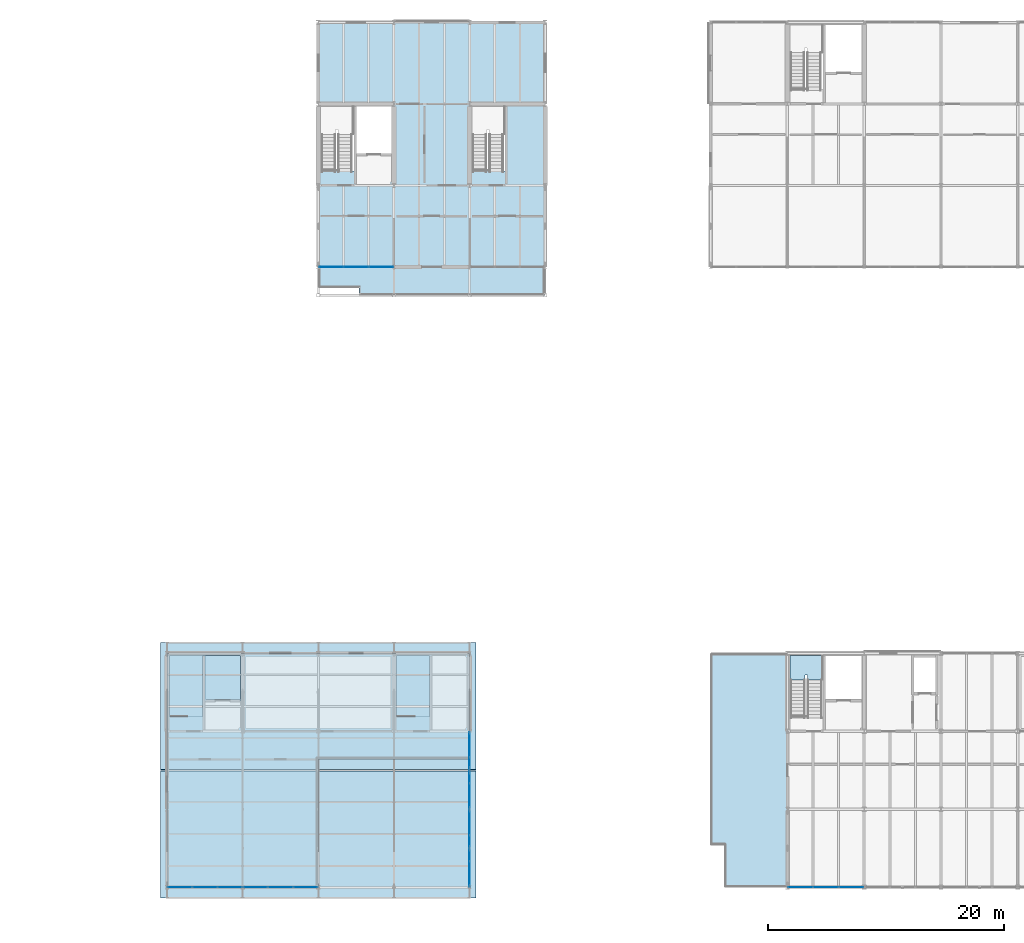
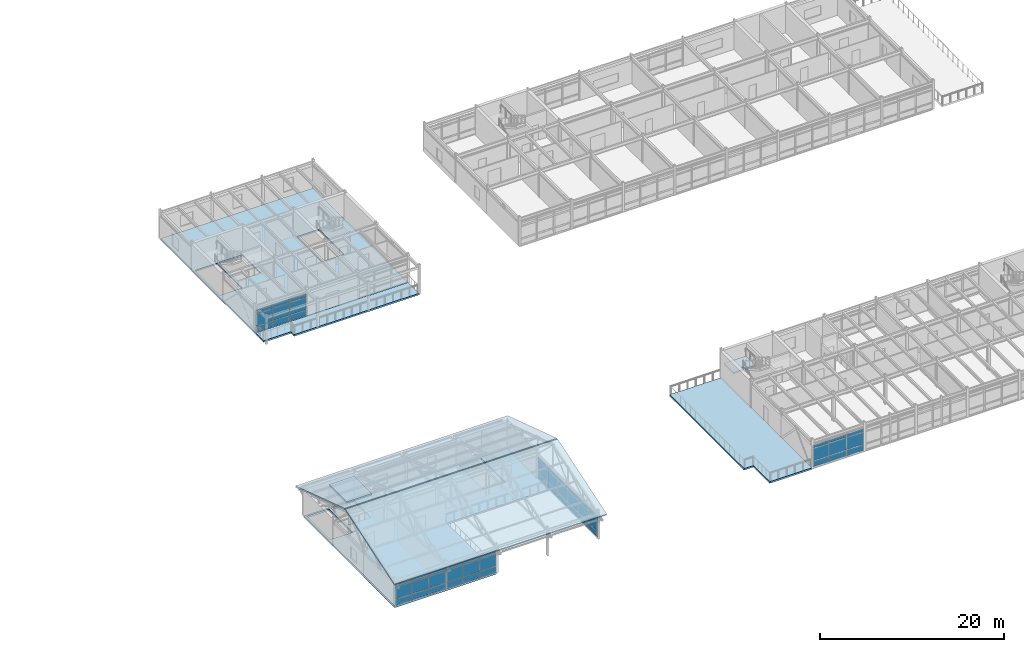
# One storey, part 34 of 57: 54 plates, 8 slabs, 7 elements without a shape of their own.
"""IFC4 building model written with IfcOpenShell, lengths in metres."""

from ifc_helpers import new_model, si_unit, direction, frame, origin, origin_2d, place, context, subcontext, project, spatial, polyline, rectangle, outline, extrude, material, layer, layer_set, type_object, element, aggregate, save


model = new_model("IFC4")

# Units and contexts
model_context = context("Model", 3, precision=1e-05, world=origin(), true_north=direction((0.0, 1.0)))
body_context = subcontext(model_context, "Body", "Model", "MODEL_VIEW")
ifc_project = project(units=[si_unit("LENGTHUNIT", "METRE"), si_unit("AREAUNIT", "SQUARE_METRE"), si_unit("VOLUMEUNIT", "CUBIC_METRE"), si_unit("PLANEANGLEUNIT", "RADIAN"), si_unit("MASSUNIT", "GRAM", prefix="KILO")], contexts=[model_context])

# Site, building, storey
site_placement = place(None, origin())
site = spatial("IfcSite", under=ifc_project, at=site_placement, CompositionType="ELEMENT")
building_placement = place(site_placement, origin())
building = spatial("IfcBuilding", under=site, at=building_placement, Name="Trelmorton Wharf Fire Station", CompositionType="ELEMENT")
storey_placement = place(building_placement, frame((0.0, 0.0, 13.5)))
storey = spatial("IfcBuildingStorey", under=building, at=storey_placement, Name="L03", CompositionType="ELEMENT", Elevation=13.5)

# Curtain wall, plates
ifc_material_1 = material(Name="Anodised aluminium AW-6063", Category="aluminium")
ifc_layer_1 = layer(ifc_material_1, 0.159912109375)
ifc_layer_set_1 = layer_set([ifc_layer_1], Name="Anodised aluminium AW-6063")
curtain_wall_type_1 = type_object("IfcCurtainWallType", Name="CW_CHIC_A", PredefinedType="USERDEFINED", material=ifc_layer_set_1)
curtain_wall_1_placement = place(storey_placement, origin())
curtain_wall_1 = element("IfcCurtainWall", 1, at=curtain_wall_1_placement, inside=storey, type_object=curtain_wall_type_1, Name="CW-V3-L03-025", ObjectType="CHICAGO BAY CURTAIN WALL", PredefinedType="USERDEFINED")
ifc_material_2 = material(Name="Tempered low-E double glazing", Category="glass")
ifc_layer_2 = layer(ifc_material_2, 0.028076171875)
ifc_layer_set_2 = layer_set([ifc_layer_2], Name="Tempered low-E double glazing")
plate_type_1 = type_object("IfcPlateType", Name="CWP_GLAZ_28", PredefinedType="CURTAIN_PANEL", material=ifc_layer_set_2)
plate_1_placement = place(storey_placement, frame((63.31494140625, 7.800048828125, 0.06005859375), z_axis=(0.0, 0.0, 1.0), x_axis=(-1.0, 0.0, 0.0)))
plate_1 = element("IfcPlate", 2, at=plate_1_placement, type_object=plate_type_1, Name="CW1 panel 1.1", PredefinedType="CURTAIN_PANEL", context=body_context, shape_type="SweptSolid", body=[
    extrude(rectangle(XDim=2.0400390625, YDim=0.028076171875, at=origin_2d()), origin(), (0.0, 0.0, 1.0), 0.760009765625),
])
plate_2_placement = place(storey_placement, frame((63.31494140625, 7.800048828125, 0.8798828125), z_axis=(0.0, 0.0, 1.0), x_axis=(-1.0, 0.0, 0.0)))
plate_2 = element("IfcPlate", 3, at=plate_2_placement, type_object=plate_type_1, Name="CW1 panel 1.2", PredefinedType="CURTAIN_PANEL", context=body_context, shape_type="SweptSolid", body=[
    extrude(rectangle(XDim=2.0400390625, YDim=0.028076171875, at=origin_2d()), origin(), (0.0, 0.0, 1.0), 1.610107421875),
])
plate_3_placement = place(storey_placement, frame((63.31494140625, 7.800048828125, 2.5498046875), z_axis=(0.0, 0.0, 1.0), x_axis=(-1.0, 0.0, 0.0)))
plate_3 = element("IfcPlate", 4, at=plate_3_placement, type_object=plate_type_1, Name="CW1 panel 1.3", PredefinedType="CURTAIN_PANEL", context=body_context, shape_type="SweptSolid", body=[
    extrude(rectangle(XDim=2.0400390625, YDim=0.028076171875, at=origin_2d()), origin(), (0.0, 0.0, 1.0), 0.409912109375),
])
plate_4_placement = place(storey_placement, frame((61.199951171875, 7.800048828125, 0.06005859375), z_axis=(0.0, 0.0, 1.0), x_axis=(-1.0, 0.0, 0.0)))
plate_4 = element("IfcPlate", 5, at=plate_4_placement, type_object=plate_type_1, Name="CW1 panel 2.1", PredefinedType="CURTAIN_PANEL", context=body_context, shape_type="SweptSolid", body=[
    extrude(rectangle(XDim=2.070068359375, YDim=0.028076171875, at=origin_2d()), origin(), (0.0, 0.0, 1.0), 0.760009765625),
])
plate_5_placement = place(storey_placement, frame((61.199951171875, 7.800048828125, 0.8798828125), z_axis=(0.0, 0.0, 1.0), x_axis=(-1.0, 0.0, 0.0)))
plate_5 = element("IfcPlate", 6, at=plate_5_placement, type_object=plate_type_1, Name="CW1 panel 2.2", PredefinedType="CURTAIN_PANEL", context=body_context, shape_type="SweptSolid", body=[
    extrude(rectangle(XDim=2.070068359375, YDim=0.028076171875, at=origin_2d()), origin(), (0.0, 0.0, 1.0), 1.610107421875),
])
plate_6_placement = place(storey_placement, frame((61.199951171875, 7.800048828125, 2.5498046875), z_axis=(0.0, 0.0, 1.0), x_axis=(-1.0, 0.0, 0.0)))
plate_6 = element("IfcPlate", 7, at=plate_6_placement, type_object=plate_type_1, Name="CW1 panel 2.3", PredefinedType="CURTAIN_PANEL", context=body_context, shape_type="SweptSolid", body=[
    extrude(rectangle(XDim=2.070068359375, YDim=0.028076171875, at=origin_2d()), origin(), (0.0, 0.0, 1.0), 0.409912109375),
])
plate_7_placement = place(storey_placement, frame((59.0849609375, 7.800048828125, 0.06005859375), z_axis=(0.0, 0.0, 1.0), x_axis=(-1.0, 0.0, 0.0)))
plate_7 = element("IfcPlate", 8, at=plate_7_placement, type_object=plate_type_1, Name="CW1 panel 3.1", PredefinedType="CURTAIN_PANEL", context=body_context, shape_type="SweptSolid", body=[
    extrude(rectangle(XDim=2.0400390625, YDim=0.028076171875, at=origin_2d()), origin(), (0.0, 0.0, 1.0), 0.760009765625),
])
plate_8_placement = place(storey_placement, frame((59.0849609375, 7.800048828125, 0.8798828125), z_axis=(0.0, 0.0, 1.0), x_axis=(-1.0, 0.0, 0.0)))
plate_8 = element("IfcPlate", 9, at=plate_8_placement, type_object=plate_type_1, Name="CW1 panel 3.2", PredefinedType="CURTAIN_PANEL", context=body_context, shape_type="SweptSolid", body=[
    extrude(rectangle(XDim=2.0400390625, YDim=0.028076171875, at=origin_2d()), origin(), (0.0, 0.0, 1.0), 1.610107421875),
])
plate_9_placement = place(storey_placement, frame((59.0849609375, 7.800048828125, 2.5498046875), z_axis=(0.0, 0.0, 1.0), x_axis=(-1.0, 0.0, 0.0)))
plate_9 = element("IfcPlate", 10, at=plate_9_placement, type_object=plate_type_1, Name="CW1 panel 3.3", PredefinedType="CURTAIN_PANEL", context=body_context, shape_type="SweptSolid", body=[
    extrude(rectangle(XDim=2.0400390625, YDim=0.028076171875, at=origin_2d()), origin(), (0.0, 0.0, 1.0), 0.409912109375),
])
aggregate(curtain_wall_1, [plate_1, plate_2, plate_3, plate_4, plate_5, plate_6, plate_7, plate_8, plate_9])

curtain_wall_2_placement = place(storey_placement, origin())
curtain_wall_2 = element("IfcCurtainWall", 11, at=curtain_wall_2_placement, inside=storey, type_object=curtain_wall_type_1, Name="CW-V3-L03-026", ObjectType="CHICAGO BAY CURTAIN WALL", PredefinedType="USERDEFINED")
plate_10_placement = place(storey_placement, frame((69.715087890625, 7.800048828125, 0.06005859375), z_axis=(0.0, 0.0, 1.0), x_axis=(-1.0, 0.0, 0.0)))
plate_10 = element("IfcPlate", 12, at=plate_10_placement, type_object=plate_type_1, Name="CW1 panel 1.1", PredefinedType="CURTAIN_PANEL", context=body_context, shape_type="SweptSolid", body=[
    extrude(rectangle(XDim=2.0400390625, YDim=0.028076171875, at=origin_2d()), origin(), (0.0, 0.0, 1.0), 0.760009765625),
])
plate_11_placement = place(storey_placement, frame((69.715087890625, 7.800048828125, 0.8798828125), z_axis=(0.0, 0.0, 1.0), x_axis=(-1.0, 0.0, 0.0)))
plate_11 = element("IfcPlate", 13, at=plate_11_placement, type_object=plate_type_1, Name="CW1 panel 1.2", PredefinedType="CURTAIN_PANEL", context=body_context, shape_type="SweptSolid", body=[
    extrude(rectangle(XDim=2.0400390625, YDim=0.028076171875, at=origin_2d()), origin(), (0.0, 0.0, 1.0), 1.610107421875),
])
plate_12_placement = place(storey_placement, frame((69.715087890625, 7.800048828125, 2.5498046875), z_axis=(0.0, 0.0, 1.0), x_axis=(-1.0, 0.0, 0.0)))
plate_12 = element("IfcPlate", 14, at=plate_12_placement, type_object=plate_type_1, Name="CW1 panel 1.3", PredefinedType="CURTAIN_PANEL", context=body_context, shape_type="SweptSolid", body=[
    extrude(rectangle(XDim=2.0400390625, YDim=0.028076171875, at=origin_2d()), origin(), (0.0, 0.0, 1.0), 0.409912109375),
])
plate_13_placement = place(storey_placement, frame((67.60009765625, 7.800048828125, 0.06005859375), z_axis=(0.0, 0.0, 1.0), x_axis=(-1.0, 0.0, 0.0)))
plate_13 = element("IfcPlate", 15, at=plate_13_placement, type_object=plate_type_1, Name="CW1 panel 2.1", PredefinedType="CURTAIN_PANEL", context=body_context, shape_type="SweptSolid", body=[
    extrude(rectangle(XDim=2.070068359375, YDim=0.028076171875, at=origin_2d()), origin(), (0.0, 0.0, 1.0), 0.760009765625),
])
plate_14_placement = place(storey_placement, frame((67.60009765625, 7.800048828125, 0.8798828125), z_axis=(0.0, 0.0, 1.0), x_axis=(-1.0, 0.0, 0.0)))
plate_14 = element("IfcPlate", 16, at=plate_14_placement, type_object=plate_type_1, Name="CW1 panel 2.2", PredefinedType="CURTAIN_PANEL", context=body_context, shape_type="SweptSolid", body=[
    extrude(rectangle(XDim=2.070068359375, YDim=0.028076171875, at=origin_2d()), origin(), (0.0, 0.0, 1.0), 1.610107421875),
])
plate_15_placement = place(storey_placement, frame((67.60009765625, 7.800048828125, 2.5498046875), z_axis=(0.0, 0.0, 1.0), x_axis=(-1.0, 0.0, 0.0)))
plate_15 = element("IfcPlate", 17, at=plate_15_placement, type_object=plate_type_1, Name="CW1 panel 2.3", PredefinedType="CURTAIN_PANEL", context=body_context, shape_type="SweptSolid", body=[
    extrude(rectangle(XDim=2.070068359375, YDim=0.028076171875, at=origin_2d()), origin(), (0.0, 0.0, 1.0), 0.409912109375),
])
plate_16_placement = place(storey_placement, frame((65.485107421875, 7.800048828125, 0.06005859375), z_axis=(0.0, 0.0, 1.0), x_axis=(-1.0, 0.0, 0.0)))
plate_16 = element("IfcPlate", 18, at=plate_16_placement, type_object=plate_type_1, Name="CW1 panel 3.1", PredefinedType="CURTAIN_PANEL", context=body_context, shape_type="SweptSolid", body=[
    extrude(rectangle(XDim=2.0400390625, YDim=0.028076171875, at=origin_2d()), origin(), (0.0, 0.0, 1.0), 0.760009765625),
])
plate_17_placement = place(storey_placement, frame((65.485107421875, 7.800048828125, 0.8798828125), z_axis=(0.0, 0.0, 1.0), x_axis=(-1.0, 0.0, 0.0)))
plate_17 = element("IfcPlate", 19, at=plate_17_placement, type_object=plate_type_1, Name="CW1 panel 3.2", PredefinedType="CURTAIN_PANEL", context=body_context, shape_type="SweptSolid", body=[
    extrude(rectangle(XDim=2.0400390625, YDim=0.028076171875, at=origin_2d()), origin(), (0.0, 0.0, 1.0), 1.610107421875),
])
plate_18_placement = place(storey_placement, frame((65.485107421875, 7.800048828125, 2.5498046875), z_axis=(0.0, 0.0, 1.0), x_axis=(-1.0, 0.0, 0.0)))
plate_18 = element("IfcPlate", 20, at=plate_18_placement, type_object=plate_type_1, Name="CW1 panel 3.3", PredefinedType="CURTAIN_PANEL", context=body_context, shape_type="SweptSolid", body=[
    extrude(rectangle(XDim=2.0400390625, YDim=0.028076171875, at=origin_2d()), origin(), (0.0, 0.0, 1.0), 0.409912109375),
])
aggregate(curtain_wall_2, [plate_10, plate_11, plate_12, plate_13, plate_14, plate_15, plate_16, plate_17, plate_18])

ifc_layer_3 = layer(ifc_material_1, 0.14990234375)
ifc_layer_set_3 = layer_set([ifc_layer_3], Name="Anodised aluminium AW-6063")
curtain_wall_type_2 = type_object("IfcCurtainWallType", Name="CW_UNIT_A", PredefinedType="USERDEFINED", material=ifc_layer_set_3)
curtain_wall_3_placement = place(storey_placement, origin())
curtain_wall_3 = element("IfcCurtainWall", 21, at=curtain_wall_3_placement, inside=storey, type_object=curtain_wall_type_2, Name="CW-V3-L03-028", ObjectType="UNITISED CURTAIN WALL", PredefinedType="USERDEFINED")
plate_19_placement = place(storey_placement, frame((83.60009765625, 19.881591796875, 0.06005859375), z_axis=(0.0, 0.0, 1.0), x_axis=(0.0, -1.0, 0.0)))
plate_19 = element("IfcPlate", 22, at=plate_19_placement, type_object=plate_type_1, Name="CW3 panel 1.1", PredefinedType="CURTAIN_PANEL", context=body_context, shape_type="SweptSolid", body=[
    extrude(rectangle(XDim=2.106689453125, YDim=0.028076171875, at=origin_2d()), origin(), (0.0, 0.0, 1.0), 0.760009765625),
])
plate_20_placement = place(storey_placement, frame((83.60009765625, 19.881591796875, 0.8798828125), z_axis=(0.0, 0.0, 1.0), x_axis=(0.0, -1.0, 0.0)))
plate_20 = element("IfcPlate", 23, at=plate_20_placement, type_object=plate_type_1, Name="CW3 panel 1.2", PredefinedType="CURTAIN_PANEL", context=body_context, shape_type="SweptSolid", body=[
    extrude(rectangle(XDim=2.106689453125, YDim=0.028076171875, at=origin_2d()), origin(), (0.0, 0.0, 1.0), 1.610107421875),
])
plate_21_placement = place(storey_placement, frame((83.60009765625, 19.881591796875, 2.5498046875), z_axis=(0.0, 0.0, 1.0), x_axis=(0.0, -1.0, 0.0)))
plate_21 = element("IfcPlate", 24, at=plate_21_placement, type_object=plate_type_1, Name="CW3 panel 1.3", PredefinedType="CURTAIN_PANEL", context=body_context, shape_type="SweptSolid", body=[
    extrude(rectangle(XDim=2.106689453125, YDim=0.028076171875, at=origin_2d()), origin(), (0.0, 0.0, 1.0), 0.409912109375),
])
plate_22_placement = place(storey_placement, frame((83.60009765625, 17.699951171875, 0.06005859375), z_axis=(0.0, 0.0, 1.0), x_axis=(0.0, -1.0, 0.0)))
plate_22 = element("IfcPlate", 25, at=plate_22_placement, type_object=plate_type_1, Name="CW3 panel 2.1", PredefinedType="CURTAIN_PANEL", context=body_context, shape_type="SweptSolid", body=[
    extrude(rectangle(XDim=2.13671875, YDim=0.028076171875, at=origin_2d()), origin(), (0.0, 0.0, 1.0), 0.760009765625),
])
plate_23_placement = place(storey_placement, frame((83.60009765625, 17.699951171875, 0.8798828125), z_axis=(0.0, 0.0, 1.0), x_axis=(0.0, -1.0, 0.0)))
plate_23 = element("IfcPlate", 26, at=plate_23_placement, type_object=plate_type_1, Name="CW3 panel 2.2", PredefinedType="CURTAIN_PANEL", context=body_context, shape_type="SweptSolid", body=[
    extrude(rectangle(XDim=2.13671875, YDim=0.028076171875, at=origin_2d()), origin(), (0.0, 0.0, 1.0), 1.610107421875),
])
plate_24_placement = place(storey_placement, frame((83.60009765625, 17.699951171875, 2.5498046875), z_axis=(0.0, 0.0, 1.0), x_axis=(0.0, -1.0, 0.0)))
plate_24 = element("IfcPlate", 27, at=plate_24_placement, type_object=plate_type_1, Name="CW3 panel 2.3", PredefinedType="CURTAIN_PANEL", context=body_context, shape_type="SweptSolid", body=[
    extrude(rectangle(XDim=2.13671875, YDim=0.028076171875, at=origin_2d()), origin(), (0.0, 0.0, 1.0), 0.409912109375),
])
plate_25_placement = place(storey_placement, frame((83.60009765625, 15.518310546875, 0.06005859375), z_axis=(0.0, 0.0, 1.0), x_axis=(0.0, -1.0, 0.0)))
plate_25 = element("IfcPlate", 28, at=plate_25_placement, type_object=plate_type_1, Name="CW3 panel 3.1", PredefinedType="CURTAIN_PANEL", context=body_context, shape_type="SweptSolid", body=[
    extrude(rectangle(XDim=2.106689453125, YDim=0.028076171875, at=origin_2d()), origin(), (0.0, 0.0, 1.0), 0.760009765625),
])
plate_26_placement = place(storey_placement, frame((83.60009765625, 15.518310546875, 0.8798828125), z_axis=(0.0, 0.0, 1.0), x_axis=(0.0, -1.0, 0.0)))
plate_26 = element("IfcPlate", 29, at=plate_26_placement, type_object=plate_type_1, Name="CW3 panel 3.2", PredefinedType="CURTAIN_PANEL", context=body_context, shape_type="SweptSolid", body=[
    extrude(rectangle(XDim=2.106689453125, YDim=0.028076171875, at=origin_2d()), origin(), (0.0, 0.0, 1.0), 1.610107421875),
])
plate_27_placement = place(storey_placement, frame((83.60009765625, 15.518310546875, 2.5498046875), z_axis=(0.0, 0.0, 1.0), x_axis=(0.0, -1.0, 0.0)))
plate_27 = element("IfcPlate", 30, at=plate_27_placement, type_object=plate_type_1, Name="CW3 panel 3.3", PredefinedType="CURTAIN_PANEL", context=body_context, shape_type="SweptSolid", body=[
    extrude(rectangle(XDim=2.106689453125, YDim=0.028076171875, at=origin_2d()), origin(), (0.0, 0.0, 1.0), 0.409912109375),
])
aggregate(curtain_wall_3, [plate_19, plate_20, plate_21, plate_22, plate_23, plate_24, plate_25, plate_26, plate_27])

curtain_wall_4_placement = place(storey_placement, origin())
curtain_wall_4 = element("IfcCurtainWall", 31, at=curtain_wall_4_placement, inside=storey, type_object=curtain_wall_type_1, Name="CW-V5-L03-061", ObjectType="CHICAGO BAY CURTAIN WALL", PredefinedType="USERDEFINED")
plate_28_placement = place(storey_placement, frame((115.8984375, 7.800048828125, 0.06005859375), z_axis=(0.0, 0.0, 1.0), x_axis=(-1.0, 0.0, 0.0)))
plate_28 = element("IfcPlate", 32, at=plate_28_placement, type_object=plate_type_1, Name="CW1 panel 1.1", PredefinedType="CURTAIN_PANEL", context=body_context, shape_type="SweptSolid", body=[
    extrude(rectangle(XDim=2.0732421875, YDim=0.028076171875, at=origin_2d()), origin(), (0.0, 0.0, 1.0), 0.760009765625),
])
plate_29_placement = place(storey_placement, frame((115.8984375, 7.800048828125, 0.8798828125), z_axis=(0.0, 0.0, 1.0), x_axis=(-1.0, 0.0, 0.0)))
plate_29 = element("IfcPlate", 33, at=plate_29_placement, type_object=plate_type_1, Name="CW1 panel 1.2", PredefinedType="CURTAIN_PANEL", context=body_context, shape_type="SweptSolid", body=[
    extrude(rectangle(XDim=2.0732421875, YDim=0.028076171875, at=origin_2d()), origin(), (0.0, 0.0, 1.0), 1.610107421875),
])
plate_30_placement = place(storey_placement, frame((115.8984375, 7.800048828125, 2.5498046875), z_axis=(0.0, 0.0, 1.0), x_axis=(-1.0, 0.0, 0.0)))
plate_30 = element("IfcPlate", 34, at=plate_30_placement, type_object=plate_type_1, Name="CW1 panel 1.3", PredefinedType="CURTAIN_PANEL", context=body_context, shape_type="SweptSolid", body=[
    extrude(rectangle(XDim=2.0732421875, YDim=0.028076171875, at=origin_2d()), origin(), (0.0, 0.0, 1.0), 0.409912109375),
])
plate_31_placement = place(storey_placement, frame((113.75, 7.800048828125, 0.06005859375), z_axis=(0.0, 0.0, 1.0), x_axis=(-1.0, 0.0, 0.0)))
plate_31 = element("IfcPlate", 35, at=plate_31_placement, type_object=plate_type_1, Name="CW1 panel 2.1", PredefinedType="CURTAIN_PANEL", context=body_context, shape_type="SweptSolid", body=[
    extrude(rectangle(XDim=2.103271484375, YDim=0.028076171875, at=origin_2d()), origin(), (0.0, 0.0, 1.0), 0.760009765625),
])
plate_32_placement = place(storey_placement, frame((113.75, 7.800048828125, 0.8798828125), z_axis=(0.0, 0.0, 1.0), x_axis=(-1.0, 0.0, 0.0)))
plate_32 = element("IfcPlate", 36, at=plate_32_placement, type_object=plate_type_1, Name="CW1 panel 2.2", PredefinedType="CURTAIN_PANEL", context=body_context, shape_type="SweptSolid", body=[
    extrude(rectangle(XDim=2.103271484375, YDim=0.028076171875, at=origin_2d()), origin(), (0.0, 0.0, 1.0), 1.610107421875),
])
plate_33_placement = place(storey_placement, frame((113.75, 7.800048828125, 2.5498046875), z_axis=(0.0, 0.0, 1.0), x_axis=(-1.0, 0.0, 0.0)))
plate_33 = element("IfcPlate", 37, at=plate_33_placement, type_object=plate_type_1, Name="CW1 panel 2.3", PredefinedType="CURTAIN_PANEL", context=body_context, shape_type="SweptSolid", body=[
    extrude(rectangle(XDim=2.103271484375, YDim=0.028076171875, at=origin_2d()), origin(), (0.0, 0.0, 1.0), 0.409912109375),
])
plate_34_placement = place(storey_placement, frame((111.6015625, 7.800048828125, 0.06005859375), z_axis=(0.0, 0.0, 1.0), x_axis=(-1.0, 0.0, 0.0)))
plate_34 = element("IfcPlate", 38, at=plate_34_placement, type_object=plate_type_1, Name="CW1 panel 3.1", PredefinedType="CURTAIN_PANEL", context=body_context, shape_type="SweptSolid", body=[
    extrude(rectangle(XDim=2.0732421875, YDim=0.028076171875, at=origin_2d()), origin(), (0.0, 0.0, 1.0), 0.760009765625),
])
plate_35_placement = place(storey_placement, frame((111.6015625, 7.800048828125, 0.8798828125), z_axis=(0.0, 0.0, 1.0), x_axis=(-1.0, 0.0, 0.0)))
plate_35 = element("IfcPlate", 39, at=plate_35_placement, type_object=plate_type_1, Name="CW1 panel 3.2", PredefinedType="CURTAIN_PANEL", context=body_context, shape_type="SweptSolid", body=[
    extrude(rectangle(XDim=2.0732421875, YDim=0.028076171875, at=origin_2d()), origin(), (0.0, 0.0, 1.0), 1.610107421875),
])
plate_36_placement = place(storey_placement, frame((111.6015625, 7.800048828125, 2.5498046875), z_axis=(0.0, 0.0, 1.0), x_axis=(-1.0, 0.0, 0.0)))
plate_36 = element("IfcPlate", 40, at=plate_36_placement, type_object=plate_type_1, Name="CW1 panel 3.3", PredefinedType="CURTAIN_PANEL", context=body_context, shape_type="SweptSolid", body=[
    extrude(rectangle(XDim=2.0732421875, YDim=0.028076171875, at=origin_2d()), origin(), (0.0, 0.0, 1.0), 0.409912109375),
])
aggregate(curtain_wall_4, [plate_28, plate_29, plate_30, plate_31, plate_32, plate_33, plate_34, plate_35, plate_36])

curtain_wall_5_placement = place(storey_placement, origin())
curtain_wall_5 = element("IfcCurtainWall", 41, at=curtain_wall_5_placement, inside=storey, type_object=curtain_wall_type_1, Name="CW-V2-L03-103", ObjectType="CHICAGO BAY CURTAIN WALL", PredefinedType="USERDEFINED")
plate_37_placement = place(storey_placement, frame((76.114990234375, 60.300048828125, 0.06005859375), z_axis=(0.0, 0.0, 1.0), x_axis=(-1.0, 0.0, 0.0)))
plate_37 = element("IfcPlate", 42, at=plate_37_placement, type_object=plate_type_1, Name="CW1 panel 1.1", PredefinedType="CURTAIN_PANEL", context=body_context, shape_type="SweptSolid", body=[
    extrude(rectangle(XDim=2.0400390625, YDim=0.028076171875, at=origin_2d()), origin(), (0.0, 0.0, 1.0), 0.760009765625),
])
plate_38_placement = place(storey_placement, frame((76.114990234375, 60.300048828125, 0.8798828125), z_axis=(0.0, 0.0, 1.0), x_axis=(-1.0, 0.0, 0.0)))
plate_38 = element("IfcPlate", 43, at=plate_38_placement, type_object=plate_type_1, Name="CW1 panel 1.2", PredefinedType="CURTAIN_PANEL", context=body_context, shape_type="SweptSolid", body=[
    extrude(rectangle(XDim=2.0400390625, YDim=0.028076171875, at=origin_2d()), origin(), (0.0, 0.0, 1.0), 1.610107421875),
])
plate_39_placement = place(storey_placement, frame((76.114990234375, 60.300048828125, 2.5498046875), z_axis=(0.0, 0.0, 1.0), x_axis=(-1.0, 0.0, 0.0)))
plate_39 = element("IfcPlate", 44, at=plate_39_placement, type_object=plate_type_1, Name="CW1 panel 1.3", PredefinedType="CURTAIN_PANEL", context=body_context, shape_type="SweptSolid", body=[
    extrude(rectangle(XDim=2.0400390625, YDim=0.028076171875, at=origin_2d()), origin(), (0.0, 0.0, 1.0), 0.409912109375),
])
plate_40_placement = place(storey_placement, frame((74.0, 60.300048828125, 0.06005859375), z_axis=(0.0, 0.0, 1.0), x_axis=(-1.0, 0.0, 0.0)))
plate_40 = element("IfcPlate", 45, at=plate_40_placement, type_object=plate_type_1, Name="CW1 panel 2.1", PredefinedType="CURTAIN_PANEL", context=body_context, shape_type="SweptSolid", body=[
    extrude(rectangle(XDim=2.070068359375, YDim=0.028076171875, at=origin_2d()), origin(), (0.0, 0.0, 1.0), 0.760009765625),
])
plate_41_placement = place(storey_placement, frame((74.0, 60.300048828125, 0.8798828125), z_axis=(0.0, 0.0, 1.0), x_axis=(-1.0, 0.0, 0.0)))
plate_41 = element("IfcPlate", 46, at=plate_41_placement, type_object=plate_type_1, Name="CW1 panel 2.2", PredefinedType="CURTAIN_PANEL", context=body_context, shape_type="SweptSolid", body=[
    extrude(rectangle(XDim=2.070068359375, YDim=0.028076171875, at=origin_2d()), origin(), (0.0, 0.0, 1.0), 1.610107421875),
])
plate_42_placement = place(storey_placement, frame((74.0, 60.300048828125, 2.5498046875), z_axis=(0.0, 0.0, 1.0), x_axis=(-1.0, 0.0, 0.0)))
plate_42 = element("IfcPlate", 47, at=plate_42_placement, type_object=plate_type_1, Name="CW1 panel 2.3", PredefinedType="CURTAIN_PANEL", context=body_context, shape_type="SweptSolid", body=[
    extrude(rectangle(XDim=2.070068359375, YDim=0.028076171875, at=origin_2d()), origin(), (0.0, 0.0, 1.0), 0.409912109375),
])
plate_43_placement = place(storey_placement, frame((71.885009765625, 60.300048828125, 0.06005859375), z_axis=(0.0, 0.0, 1.0), x_axis=(-1.0, 0.0, 0.0)))
plate_43 = element("IfcPlate", 48, at=plate_43_placement, type_object=plate_type_1, Name="CW1 panel 3.1", PredefinedType="CURTAIN_PANEL", context=body_context, shape_type="SweptSolid", body=[
    extrude(rectangle(XDim=2.0400390625, YDim=0.028076171875, at=origin_2d()), origin(), (0.0, 0.0, 1.0), 0.760009765625),
])
plate_44_placement = place(storey_placement, frame((71.885009765625, 60.300048828125, 0.8798828125), z_axis=(0.0, 0.0, 1.0), x_axis=(-1.0, 0.0, 0.0)))
plate_44 = element("IfcPlate", 49, at=plate_44_placement, type_object=plate_type_1, Name="CW1 panel 3.2", PredefinedType="CURTAIN_PANEL", context=body_context, shape_type="SweptSolid", body=[
    extrude(rectangle(XDim=2.0400390625, YDim=0.028076171875, at=origin_2d()), origin(), (0.0, 0.0, 1.0), 1.610107421875),
])
plate_45_placement = place(storey_placement, frame((71.885009765625, 60.300048828125, 2.5498046875), z_axis=(0.0, 0.0, 1.0), x_axis=(-1.0, 0.0, 0.0)))
plate_45 = element("IfcPlate", 50, at=plate_45_placement, type_object=plate_type_1, Name="CW1 panel 3.3", PredefinedType="CURTAIN_PANEL", context=body_context, shape_type="SweptSolid", body=[
    extrude(rectangle(XDim=2.0400390625, YDim=0.028076171875, at=origin_2d()), origin(), (0.0, 0.0, 1.0), 0.409912109375),
])
aggregate(curtain_wall_5, [plate_37, plate_38, plate_39, plate_40, plate_41, plate_42, plate_43, plate_44, plate_45])

curtain_wall_6_placement = place(storey_placement, origin())
curtain_wall_6 = element("IfcCurtainWall", 51, at=curtain_wall_6_placement, inside=storey, type_object=curtain_wall_type_2, Name="CW-V3-L03-027", ObjectType="UNITISED CURTAIN WALL", PredefinedType="USERDEFINED")
ifc_layer_4 = layer(ifc_material_2, 0.028076171875)
ifc_layer_set_4 = layer_set([ifc_layer_4], Name="Tempered low-E double glazing")
plate_type_2 = type_object("IfcPlateType", Name="CWP_GLAZ_38", PredefinedType="CURTAIN_PANEL", material=ifc_layer_set_4)
plate_46_placement = place(storey_placement, frame((83.60009765625, 13.28173828125, 0.06005859375), z_axis=(0.0, 0.0, 1.0), x_axis=(0.0, -1.0, 0.0)))
plate_46 = element("IfcPlate", 52, at=plate_46_placement, type_object=plate_type_2, Name="CW3 panel 1.1", PredefinedType="CURTAIN_PANEL", context=body_context, shape_type="SweptSolid", body=[
    extrude(rectangle(XDim=2.106689453125, YDim=0.028076171875, at=origin_2d()), origin(), (0.0, 0.0, 1.0), 0.760009765625),
])
plate_47_placement = place(storey_placement, frame((83.60009765625, 13.28173828125, 0.8798828125), z_axis=(0.0, 0.0, 1.0), x_axis=(0.0, -1.0, 0.0)))
plate_47 = element("IfcPlate", 53, at=plate_47_placement, type_object=plate_type_2, Name="CW3 panel 1.2", PredefinedType="CURTAIN_PANEL", context=body_context, shape_type="SweptSolid", body=[
    extrude(rectangle(XDim=2.106689453125, YDim=0.028076171875, at=origin_2d()), origin(), (0.0, 0.0, 1.0), 1.610107421875),
])
plate_48_placement = place(storey_placement, frame((83.60009765625, 13.28173828125, 2.5498046875), z_axis=(0.0, 0.0, 1.0), x_axis=(0.0, -1.0, 0.0)))
plate_48 = element("IfcPlate", 54, at=plate_48_placement, type_object=plate_type_2, Name="CW3 panel 1.3", PredefinedType="CURTAIN_PANEL", context=body_context, shape_type="SweptSolid", body=[
    extrude(rectangle(XDim=2.106689453125, YDim=0.028076171875, at=origin_2d()), origin(), (0.0, 0.0, 1.0), 0.409912109375),
])
plate_49_placement = place(storey_placement, frame((83.60009765625, 11.10009765625, 0.06005859375), z_axis=(0.0, 0.0, 1.0), x_axis=(0.0, -1.0, 0.0)))
plate_49 = element("IfcPlate", 55, at=plate_49_placement, type_object=plate_type_2, Name="CW3 panel 2.1", PredefinedType="CURTAIN_PANEL", context=body_context, shape_type="SweptSolid", body=[
    extrude(rectangle(XDim=2.13671875, YDim=0.028076171875, at=origin_2d()), origin(), (0.0, 0.0, 1.0), 0.760009765625),
])
plate_50_placement = place(storey_placement, frame((83.60009765625, 11.10009765625, 0.8798828125), z_axis=(0.0, 0.0, 1.0), x_axis=(0.0, -1.0, 0.0)))
plate_50 = element("IfcPlate", 56, at=plate_50_placement, type_object=plate_type_2, Name="CW3 panel 2.2", PredefinedType="CURTAIN_PANEL", context=body_context, shape_type="SweptSolid", body=[
    extrude(rectangle(XDim=2.13671875, YDim=0.028076171875, at=origin_2d()), origin(), (0.0, 0.0, 1.0), 1.610107421875),
])
plate_51_placement = place(storey_placement, frame((83.60009765625, 11.10009765625, 2.5498046875), z_axis=(0.0, 0.0, 1.0), x_axis=(0.0, -1.0, 0.0)))
plate_51 = element("IfcPlate", 57, at=plate_51_placement, type_object=plate_type_2, Name="CW3 panel 2.3", PredefinedType="CURTAIN_PANEL", context=body_context, shape_type="SweptSolid", body=[
    extrude(rectangle(XDim=2.13671875, YDim=0.028076171875, at=origin_2d()), origin(), (0.0, 0.0, 1.0), 0.409912109375),
])
plate_52_placement = place(storey_placement, frame((83.60009765625, 8.918212890625, 0.06005859375), z_axis=(0.0, 0.0, 1.0), x_axis=(0.0, -1.0, 0.0)))
plate_52 = element("IfcPlate", 58, at=plate_52_placement, type_object=plate_type_2, Name="CW3 panel 3.1", PredefinedType="CURTAIN_PANEL", context=body_context, shape_type="SweptSolid", body=[
    extrude(rectangle(XDim=2.106689453125, YDim=0.028076171875, at=origin_2d()), origin(), (0.0, 0.0, 1.0), 0.760009765625),
])
plate_53_placement = place(storey_placement, frame((83.60009765625, 8.918212890625, 0.8798828125), z_axis=(0.0, 0.0, 1.0), x_axis=(0.0, -1.0, 0.0)))
plate_53 = element("IfcPlate", 59, at=plate_53_placement, type_object=plate_type_2, Name="CW3 panel 3.2", PredefinedType="CURTAIN_PANEL", context=body_context, shape_type="SweptSolid", body=[
    extrude(rectangle(XDim=2.106689453125, YDim=0.028076171875, at=origin_2d()), origin(), (0.0, 0.0, 1.0), 1.610107421875),
])
plate_54_placement = place(storey_placement, frame((83.60009765625, 8.918212890625, 2.5498046875), z_axis=(0.0, 0.0, 1.0), x_axis=(0.0, -1.0, 0.0)))
plate_54 = element("IfcPlate", 60, at=plate_54_placement, type_object=plate_type_2, Name="CW3 panel 3.3", PredefinedType="CURTAIN_PANEL", context=body_context, shape_type="SweptSolid", body=[
    extrude(rectangle(XDim=2.106689453125, YDim=0.028076171875, at=origin_2d()), origin(), (0.0, 0.0, 1.0), 0.409912109375),
])
aggregate(curtain_wall_6, [plate_46, plate_47, plate_48, plate_49, plate_50, plate_51, plate_52, plate_53, plate_54])

# Slabs
ifc_material_3 = material(Name="Concrete 40 MPa", Category="concrete")
ifc_layer_5 = layer(ifc_material_3, 0.199951171875)
ifc_layer_set_5 = layer_set([ifc_layer_5], Name="Concrete 40 MPa")
slab_type_1 = type_object("IfcSlabType", Name="SL_FLOOR_200", PredefinedType="FLOOR", material=ifc_layer_set_5)
slab_1_placement = place(storey_placement, frame((0.0, 0.0, -0.199951171875)))
element("IfcSlab", 61, at=slab_1_placement, inside=storey, type_object=slab_type_1, Name="SL-V2-L03-044", PredefinedType="FLOOR", context=body_context, shape_type="SweptSolid", body=[
    extrude(outline(polyline([(90.0, 81.0), (90.0, 60.300048828125), (70.800048828125, 60.300048828125), (70.800048828125, 81.0), (90.0, 81.0)]), holes=[polyline([(71.02001953125, 68.43994140625), (73.81005859375, 68.43994140625), (73.81005859375, 73.8798828125), (71.02001953125, 73.8798828125), (71.02001953125, 68.43994140625)]), polyline([(74.0400390625, 73.8798828125), (74.0400390625, 69.919921875), (76.97998046875, 69.919921875), (76.97998046875, 73.8798828125), (74.0400390625, 73.8798828125)]), polyline([(86.610107421875, 73.8798828125), (83.820068359375, 73.8798828125), (83.820068359375, 68.43994140625), (86.610107421875, 68.43994140625), (86.610107421875, 73.8798828125)])]), origin(), (0.0, 0.0, 1.0), 0.199951171875),
])
slab_2_placement = place(storey_placement, frame((0.0, 0.0, 3.02001953125)))
element("IfcSlab", 62, at=slab_2_placement, inside=storey, type_object=slab_type_1, Name="SL-CAP-C2", PredefinedType="FLOOR", context=body_context, shape_type="SweptSolid", body=[
    extrude(outline(polyline([(61.06005859375, 23.5400390625), (64.195068359375, 23.5400390625), (64.195068359375, 27.39501953125), (61.06005859375, 27.39501953125), (61.06005859375, 23.5400390625)])), origin(), (0.0, 0.0, 1.0), 0.199951171875),
])
ifc_layer_6 = layer(ifc_material_3, 0.239990234375)
ifc_layer_set_6 = layer_set([ifc_layer_6], Name="Concrete 40 MPa")
slab_type_2 = type_object("IfcSlabType", Name="SL_FLOOR_240", PredefinedType="FLOOR", material=ifc_layer_set_6)
slab_3_placement = place(storey_placement, frame((0.0, 0.0, -0.239990234375)))
element("IfcSlab", 63, at=slab_3_placement, inside=storey, type_object=slab_type_2, Name="SL-V3-L03-012", PredefinedType="FLOOR", context=body_context, shape_type="SweptSolid", body=[
    extrude(outline(polyline([(83.60009765625, 18.60009765625), (70.800048828125, 18.60009765625), (70.800048828125, 7.800048828125), (58.0, 7.800048828125), (58.0, 27.60009765625), (83.60009765625, 27.60009765625), (83.60009765625, 18.60009765625)]), holes=[polyline([(58.219970703125, 22.239990234375), (61.010009765625, 22.239990234375), (61.010009765625, 27.3798828125), (58.219970703125, 27.3798828125), (58.219970703125, 22.239990234375)]), polyline([(61.239990234375, 27.3798828125), (61.239990234375, 23.719970703125), (64.179931640625, 23.719970703125), (64.179931640625, 27.3798828125), (61.239990234375, 27.3798828125)]), polyline([(80.2099609375, 27.3798828125), (77.419921875, 27.3798828125), (77.419921875, 22.239990234375), (80.2099609375, 22.239990234375), (80.2099609375, 27.3798828125)])]), origin(), (0.0, 0.0, 1.0), 0.239990234375),
])

# Stair, slab
ifc_material_4 = material(Name="Precast concrete 45 MPa", Category="concrete")
stair_type = type_object("IfcStairType", Name="ST_DOG_390", PredefinedType="HALF_TURN_STAIR", material=ifc_material_4)
stair_placement = place(storey_placement, origin())
stair = element("IfcStair", 64, at=stair_placement, inside=storey, type_object=stair_type, Name="Escape Stair ST4-L03", PredefinedType="HALF_TURN_STAIR")
ifc_layer_7 = layer(ifc_material_4, 0.199951171875)
ifc_layer_set_7 = layer_set([ifc_layer_7], Name="Precast concrete 45 MPa")
slab_type_3 = type_object("IfcSlabType", Name="SL_LAND_180", PredefinedType="LANDING", material=ifc_layer_set_7)
slab_4_placement = place(storey_placement, frame((0.0, 0.0, 1.75)))
slab_4 = element("IfcSlab", 65, at=slab_4_placement, type_object=slab_type_3, Name="ST4-L03 landing 1", PredefinedType="LANDING", context=body_context, shape_type="SweptSolid", body=[
    extrude(outline(polyline([(110.705078125, 25.330078125), (112.0, 25.330078125), (112.0, 25.75), (112.199951171875, 25.75), (112.199951171875, 25.330078125), (113.5048828125, 25.330078125), (113.5048828125, 27.39501953125), (110.705078125, 27.39501953125), (110.705078125, 25.330078125)])), origin(), (0.0, 0.0, 1.0), 0.199951171875),
])
aggregate(stair, [slab_4])

# Slabs
ifc_layer_8 = layer(ifc_material_4, 0.199951171875)
ifc_layer_set_8 = layer_set([ifc_layer_8], Name="Precast concrete 45 MPa")
slab_type_4 = type_object("IfcSlabType", Name="SL_ROOF_SLOPED_200", PredefinedType="ROOF", material=ifc_layer_set_8)
slab_5_placement = place(storey_placement, frame((57.449951171875, 6.89990234375, 3.609130859375), z_axis=(0.0, -0.309639320501, 0.950854085125), x_axis=(1.0, 0.0, 0.0)))
element("IfcSlab", 66, at=slab_5_placement, inside=storey, type_object=slab_type_4, Name="SL-ROOF-V3-S", PredefinedType="ROOF", context=body_context, shape_type="SweptSolid", body=[
    extrude(outline(polyline([(0.0, 0.0), (26.699951171875, 0.0), (26.699951171875, 11.274300664477666), (0.0, 11.274300664477666), (0.0, 0.0)])), origin(), (0.0, 0.0, -1.0), 0.199951171875),
])
slab_6_placement = place(storey_placement, frame((57.449951171875, 17.780029296875, 7.10009765625), z_axis=(0.0, 0.309645696216, 0.950852008892), x_axis=(1.0, 0.0, 0.0)))
element("IfcSlab", 67, at=slab_6_placement, inside=storey, type_object=slab_type_4, Name="SL-ROOF-V3-N", PredefinedType="ROOF", context=body_context, shape_type="SweptSolid", body=[
    extrude(outline(polyline([(0.0, 0.0), (26.699951171875, 0.0), (26.699951171875, 11.274068522620484), (0.0, 11.274068522620484), (0.0, 0.0)])), origin(), (0.0, 0.0, -1.0), 0.199951171875),
])
ifc_layer_9 = layer(ifc_material_3, 0.2099609375)
ifc_layer_set_9 = layer_set([ifc_layer_9], Name="Concrete 40 MPa")
slab_type_5 = type_object("IfcSlabType", Name="SL_TERRACE_210", PredefinedType="FLOOR", material=ifc_layer_set_9)
slab_7_placement = place(storey_placement, frame((0.0, 0.0, -0.2099609375)))
element("IfcSlab", 68, at=slab_7_placement, inside=storey, type_object=slab_type_5, Name="SL-EXT-V5_TERRACE_W_L03", PredefinedType="FLOOR", context=body_context, shape_type="SweptSolid", body=[
    extrude(outline(polyline([(104.0, 27.60009765625), (110.5, 27.60009765625), (110.5, 7.800048828125), (105.169921875, 7.800048828125), (105.169921875, 11.364013671875), (104.0, 11.364013671875), (104.0, 27.60009765625)])), origin(), (0.0, 0.0, 1.0), 0.2099609375),
])
slab_8_placement = place(storey_placement, frame((0.0, 0.0, -0.2099609375)))
element("IfcSlab", 69, at=slab_8_placement, inside=storey, type_object=slab_type_5, Name="SL-EXT-V2_ABSEIL_BALC_L03", PredefinedType="FLOOR", context=body_context, shape_type="SweptSolid", body=[
    extrude(outline(polyline([(70.800048828125, 60.300048828125), (90.0, 60.300048828125), (90.0, 57.89990234375), (74.256103515625, 57.89990234375), (74.256103515625, 58.550048828125), (70.800048828125, 58.550048828125), (70.800048828125, 60.300048828125)])), origin(), (0.0, 0.0, 1.0), 0.2099609375),
])

save(model, "model.ifc")
